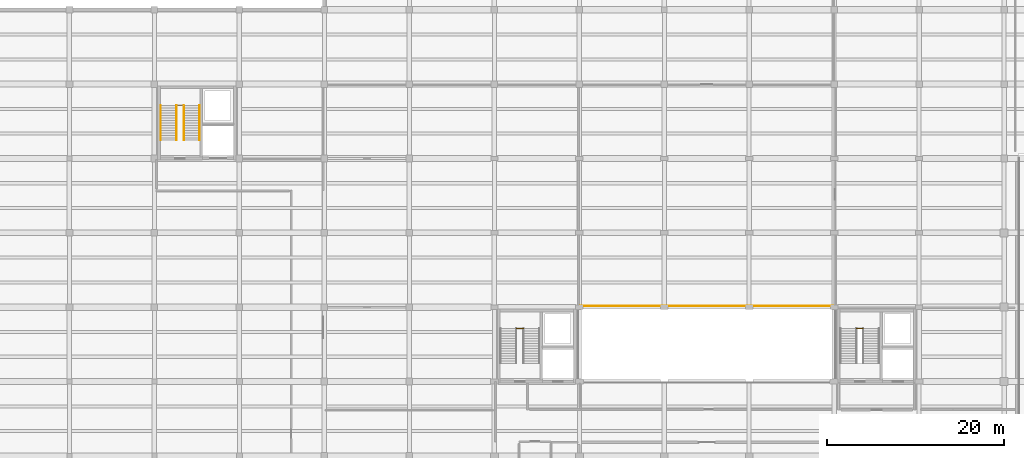
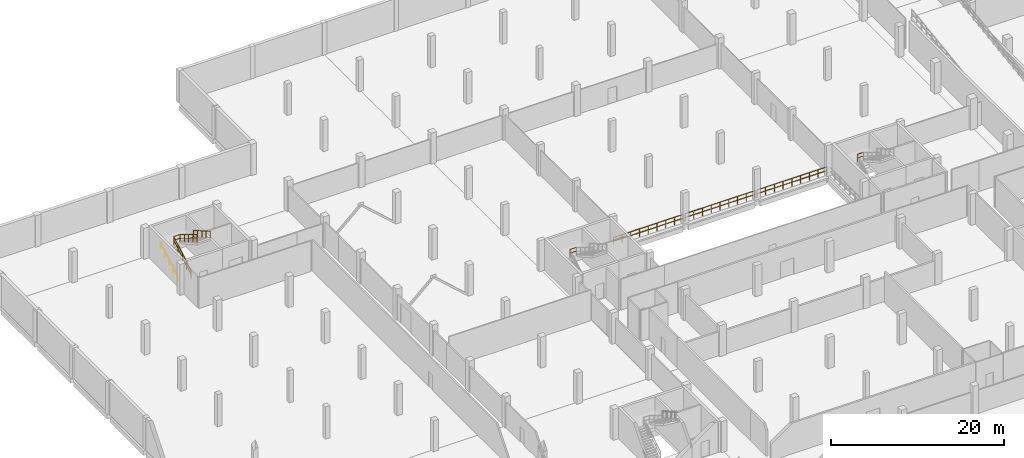
# One storey, part 28 of 30: 10 railings.
"""IFC4 building model written with IfcOpenShell, lengths in metres."""

from ifc_helpers import new_model, si_unit, direction, frame, origin, origin_2d, place, context, subcontext, project, spatial, circle, extrude, material, layer, layer_set, type_object, element, save


model = new_model("IFC4")

# Units and contexts
model_context = context("Model", 3, precision=1e-05, world=origin(), true_north=direction((0.0, 1.0)))
body_context = subcontext(model_context, "Body", "Model", "MODEL_VIEW")
ifc_project = project(units=[si_unit("LENGTHUNIT", "METRE"), si_unit("AREAUNIT", "SQUARE_METRE"), si_unit("VOLUMEUNIT", "CUBIC_METRE"), si_unit("PLANEANGLEUNIT", "RADIAN"), si_unit("MASSUNIT", "GRAM", prefix="KILO")], contexts=[model_context])

# Site, building, storey
site_placement = place(None, origin())
site = spatial("IfcSite", under=ifc_project, at=site_placement, CompositionType="ELEMENT")
building_placement = place(site_placement, origin())
building = spatial("IfcBuilding", under=site, at=building_placement, Name="Lornevale Opera House", CompositionType="ELEMENT")
storey_placement = place(building_placement, frame((0.0, 0.0, -4.800048828125)))
storey = spatial("IfcBuildingStorey", under=building, at=storey_placement, Name="B1", CompositionType="ELEMENT", Elevation=-4.800048828125)

# Railings
ifc_material = material(Name="Structural Steel CSA G40.21 Grade 350W (350 MPa)", Category="steel")
ifc_layer_1 = layer(ifc_material, 0.06005859375)
ifc_layer_set_1 = layer_set([ifc_layer_1], Name="Structural Steel CSA G40.21 Grade 350W (350 MPa)")
railing_type_1 = type_object("IfcRailingType", Name="Atrium Acoustic Balustrade 1120", PredefinedType="BALUSTRADE", material=ifc_layer_set_1)
railing_1_placement = place(storey_placement, frame((67.320068359375, 67.340087890625, 0.0)))
element("IfcRailing", 1, at=railing_1_placement, inside=storey, type_object=railing_type_1, Name="Atrium & Bowl Balustrade B1 0253", PredefinedType="BALUSTRADE", context=body_context, shape_type="SweptSolid", body=[
    extrude(circle(Radius=0.02392578125, at=origin_2d()), frame((0.0, 0.0, 1.09619140625), z_axis=(1.0, 0.0, 0.0), x_axis=(0.0, 1.0, 0.0)), (0.0, 0.0, 1.0), 9.35986328125),
    extrude(circle(Radius=0.02392578125, at=origin_2d()), frame((0.0, 0.0, 0.56005859375), z_axis=(1.0, 0.0, 0.0), x_axis=(0.0, 1.0, 0.0)), (0.0, 0.0, 1.0), 9.35986328125),
    extrude(circle(Radius=0.02099609375, at=origin_2d()), origin(), (0.0, 0.0, 1.0), 1.072021484375),
    extrude(circle(Radius=0.02099609375, at=origin_2d()), frame((1.169921875, 0.0, 0.0)), (0.0, 0.0, 1.0), 1.072021484375),
    extrude(circle(Radius=0.02099609375, at=origin_2d()), frame((2.33984375, 0.0, 0.0)), (0.0, 0.0, 1.0), 1.072021484375),
    extrude(circle(Radius=0.02099609375, at=origin_2d()), frame((3.510009765625, 0.0, 0.0)), (0.0, 0.0, 1.0), 1.072021484375),
    extrude(circle(Radius=0.02099609375, at=origin_2d()), frame((4.679931640625, 0.0, 0.0)), (0.0, 0.0, 1.0), 1.072021484375),
    extrude(circle(Radius=0.02099609375, at=origin_2d()), frame((5.849853515625, 0.0, 0.0)), (0.0, 0.0, 1.0), 1.072021484375),
    extrude(circle(Radius=0.02099609375, at=origin_2d()), frame((7.02001953125, 0.0, 0.0)), (0.0, 0.0, 1.0), 1.072021484375),
    extrude(circle(Radius=0.02099609375, at=origin_2d()), frame((8.18994140625, 0.0, 0.0)), (0.0, 0.0, 1.0), 1.072021484375),
    extrude(circle(Radius=0.02099609375, at=origin_2d()), frame((9.35986328125, 0.0, 0.0)), (0.0, 0.0, 1.0), 1.072021484375),
])
railing_2_placement = place(storey_placement, frame((76.919921875, 67.340087890625, 0.0)))
element("IfcRailing", 2, at=railing_2_placement, inside=storey, type_object=railing_type_1, Name="Atrium & Bowl Balustrade B1 0255", PredefinedType="BALUSTRADE", context=body_context, shape_type="SweptSolid", body=[
    extrude(circle(Radius=0.02392578125, at=origin_2d()), frame((0.0, 0.0, 1.09619140625), z_axis=(1.0, 0.0, 0.0), x_axis=(0.0, 1.0, 0.0)), (0.0, 0.0, 1.0), 9.360107421875),
    extrude(circle(Radius=0.02392578125, at=origin_2d()), frame((0.0, 0.0, 0.56005859375), z_axis=(1.0, 0.0, 0.0), x_axis=(0.0, 1.0, 0.0)), (0.0, 0.0, 1.0), 9.360107421875),
    extrude(circle(Radius=0.02099609375, at=origin_2d()), origin(), (0.0, 0.0, 1.0), 1.072021484375),
    extrude(circle(Radius=0.02099609375, at=origin_2d()), frame((1.169921875, 0.0, 0.0)), (0.0, 0.0, 1.0), 1.072021484375),
    extrude(circle(Radius=0.02099609375, at=origin_2d()), frame((2.340087890625, 0.0, 0.0)), (0.0, 0.0, 1.0), 1.072021484375),
    extrude(circle(Radius=0.02099609375, at=origin_2d()), frame((3.510009765625, 0.0, 0.0)), (0.0, 0.0, 1.0), 1.072021484375),
    extrude(circle(Radius=0.02099609375, at=origin_2d()), frame((4.68017578125, 0.0, 0.0)), (0.0, 0.0, 1.0), 1.072021484375),
    extrude(circle(Radius=0.02099609375, at=origin_2d()), frame((5.85009765625, 0.0, 0.0)), (0.0, 0.0, 1.0), 1.072021484375),
    extrude(circle(Radius=0.02099609375, at=origin_2d()), frame((7.02001953125, 0.0, 0.0)), (0.0, 0.0, 1.0), 1.072021484375),
    extrude(circle(Radius=0.02099609375, at=origin_2d()), frame((8.190185546875, 0.0, 0.0)), (0.0, 0.0, 1.0), 1.072021484375),
    extrude(circle(Radius=0.02099609375, at=origin_2d()), frame((9.360107421875, 0.0, 0.0)), (0.0, 0.0, 1.0), 1.072021484375),
])
railing_3_placement = place(storey_placement, frame((86.52001953125, 67.340087890625, 0.0)))
element("IfcRailing", 3, at=railing_3_placement, inside=storey, type_object=railing_type_1, Name="Atrium & Bowl Balustrade B1 0257", PredefinedType="BALUSTRADE", context=body_context, shape_type="SweptSolid", body=[
    extrude(circle(Radius=0.02392578125, at=origin_2d()), frame((0.0, 0.0, 1.09619140625), z_axis=(1.0, 0.0, 0.0), x_axis=(0.0, 1.0, 0.0)), (0.0, 0.0, 1.0), 9.35986328125),
    extrude(circle(Radius=0.02392578125, at=origin_2d()), frame((0.0, 0.0, 0.56005859375), z_axis=(1.0, 0.0, 0.0), x_axis=(0.0, 1.0, 0.0)), (0.0, 0.0, 1.0), 9.35986328125),
    extrude(circle(Radius=0.02099609375, at=origin_2d()), origin(), (0.0, 0.0, 1.0), 1.072021484375),
    extrude(circle(Radius=0.02099609375, at=origin_2d()), frame((1.169921875, 0.0, 0.0)), (0.0, 0.0, 1.0), 1.072021484375),
    extrude(circle(Radius=0.02099609375, at=origin_2d()), frame((2.33984375, 0.0, 0.0)), (0.0, 0.0, 1.0), 1.072021484375),
    extrude(circle(Radius=0.02099609375, at=origin_2d()), frame((3.510009765625, 0.0, 0.0)), (0.0, 0.0, 1.0), 1.072021484375),
    extrude(circle(Radius=0.02099609375, at=origin_2d()), frame((4.679931640625, 0.0, 0.0)), (0.0, 0.0, 1.0), 1.072021484375),
    extrude(circle(Radius=0.02099609375, at=origin_2d()), frame((5.849853515625, 0.0, 0.0)), (0.0, 0.0, 1.0), 1.072021484375),
    extrude(circle(Radius=0.02099609375, at=origin_2d()), frame((7.02001953125, 0.0, 0.0)), (0.0, 0.0, 1.0), 1.072021484375),
    extrude(circle(Radius=0.02099609375, at=origin_2d()), frame((8.18994140625, 0.0, 0.0)), (0.0, 0.0, 1.0), 1.072021484375),
    extrude(circle(Radius=0.02099609375, at=origin_2d()), frame((9.35986328125, 0.0, 0.0)), (0.0, 0.0, 1.0), 1.072021484375),
])
ifc_layer_2 = layer(ifc_material, 0.050048828125)
ifc_layer_set_2 = layer_set([ifc_layer_2], Name="Structural Steel CSA G40.21 Grade 350W (350 MPa)")
railing_type_2 = type_object("IfcRailingType", Name="Stair Well Guardrail 1100", PredefinedType="GUARDRAIL", material=ifc_layer_set_2)
railing_4_placement = place(storey_placement, frame((21.679931640625, 86.06005859375, 0.0)))
element("IfcRailing", 4, at=railing_4_placement, inside=storey, type_object=railing_type_2, Name="ST-12 Inner Well Guard F1", PredefinedType="GUARDRAIL", context=body_context, shape_type="SweptSolid", body=[
    extrude(circle(Radius=0.02392578125, at=origin_2d()), frame((0.0, 0.0, 1.076171875), z_axis=(0.0, 0.852832477147, 0.522184609045), x_axis=(-1.0, 0.0, 0.0)), (0.0, 0.0, 1.0), 4.596435546875),
    extrude(circle(Radius=0.02392578125, at=origin_2d()), frame((0.0, 0.0, 0.550048828125), z_axis=(0.0, 0.852832477147, 0.522184609045), x_axis=(-1.0, 0.0, 0.0)), (0.0, 0.0, 1.0), 4.596435546875),
    extrude(circle(Radius=0.02099609375, at=origin_2d()), origin(), (0.0, 0.0, 1.0), 1.052001953125),
    extrude(circle(Radius=0.02099609375, at=origin_2d()), frame((0.0, 0.97998046875, 0.60009765625)), (0.0, 0.0, 1.0), 1.052001953125),
    extrude(circle(Radius=0.02099609375, at=origin_2d()), frame((0.0, 1.9599609375, 1.2001953125)), (0.0, 0.0, 1.0), 1.052001953125),
    extrude(circle(Radius=0.02099609375, at=origin_2d()), frame((0.0, 2.93994140625, 1.800048828125)), (0.0, 0.0, 1.0), 1.052001953125),
    extrude(circle(Radius=0.02099609375, at=origin_2d()), frame((0.0, 3.919921875, 2.400146484375)), (0.0, 0.0, 1.0), 1.052001953125),
])
railing_5_placement = place(storey_placement, frame((22.52001953125, 89.97998046875, 2.400146484375)))
element("IfcRailing", 5, at=railing_5_placement, inside=storey, type_object=railing_type_2, Name="ST-12 Inner Well Guard F2", PredefinedType="GUARDRAIL", context=body_context, shape_type="SweptSolid", body=[
    extrude(circle(Radius=0.02392578125, at=origin_2d()), frame((0.0, 0.0, 1.076171875), z_axis=(0.0, -0.852856131449, 0.522145974847), x_axis=(1.0, 0.0, 0.0)), (0.0, 0.0, 1.0), 4.59619140625),
    extrude(circle(Radius=0.02392578125, at=origin_2d()), frame((0.0, 0.0, 0.550048828125), z_axis=(0.0, -0.852856131449, 0.522145974847), x_axis=(1.0, 0.0, 0.0)), (0.0, 0.0, 1.0), 4.59619140625),
    extrude(circle(Radius=0.02099609375, at=origin_2d()), origin(), (0.0, 0.0, 1.0), 1.052001953125),
    extrude(circle(Radius=0.02099609375, at=origin_2d()), frame((0.0, -0.97998046875, 0.60009765625)), (0.0, 0.0, 1.0), 1.052001953125),
    extrude(circle(Radius=0.02099609375, at=origin_2d()), frame((0.0, -1.9599609375, 1.199951171875)), (0.0, 0.0, 1.0), 1.052001953125),
    extrude(circle(Radius=0.02099609375, at=origin_2d()), frame((0.0, -2.93994140625, 1.7998046875)), (0.0, 0.0, 1.0), 1.052001953125),
    extrude(circle(Radius=0.02099609375, at=origin_2d()), frame((0.0, -3.919921875, 2.39990234375)), (0.0, 0.0, 1.0), 1.052001953125),
])
railing_6_placement = place(storey_placement, frame((21.679931640625, 90.010009765625, 2.400146484375)))
element("IfcRailing", 6, at=railing_6_placement, inside=storey, type_object=railing_type_2, Name="ST-12 Half-Landing Slot Guard", PredefinedType="GUARDRAIL", context=body_context, shape_type="SweptSolid", body=[
    extrude(circle(Radius=0.02392578125, at=origin_2d()), frame((0.0, 0.0, 1.076171875), z_axis=(1.0, 0.0, 0.0), x_axis=(0.0, 1.0, 0.0)), (0.0, 0.0, 1.0), 0.840087890625),
    extrude(circle(Radius=0.02392578125, at=origin_2d()), frame((0.0, 0.0, 0.550048828125), z_axis=(1.0, 0.0, 0.0), x_axis=(0.0, 1.0, 0.0)), (0.0, 0.0, 1.0), 0.840087890625),
    extrude(circle(Radius=0.02099609375, at=origin_2d()), origin(), (0.0, 0.0, 1.0), 1.052001953125),
    extrude(circle(Radius=0.02099609375, at=origin_2d()), frame((0.840087890625, 0.0, 0.0)), (0.0, 0.0, 1.0), 1.052001953125),
])
railing_7_placement = place(storey_placement, frame((60.080078125, 64.81005859375, 2.400146484375)))
element("IfcRailing", 7, at=railing_7_placement, inside=storey, type_object=railing_type_2, Name="ST-15 Half-Landing Slot Guard", PredefinedType="GUARDRAIL", context=body_context, shape_type="SweptSolid", body=[
    extrude(circle(Radius=0.02392578125, at=origin_2d()), frame((0.0, 0.0, 1.076171875), z_axis=(1.0, 0.0, 0.0), x_axis=(0.0, 1.0, 0.0)), (0.0, 0.0, 1.0), 0.83984375),
    extrude(circle(Radius=0.02392578125, at=origin_2d()), frame((0.0, 0.0, 0.550048828125), z_axis=(1.0, 0.0, 0.0), x_axis=(0.0, 1.0, 0.0)), (0.0, 0.0, 1.0), 0.83984375),
    extrude(circle(Radius=0.02099609375, at=origin_2d()), origin(), (0.0, 0.0, 1.0), 1.052001953125),
    extrude(circle(Radius=0.02099609375, at=origin_2d()), frame((0.83984375, 0.0, 0.0)), (0.0, 0.0, 1.0), 1.052001953125),
])
railing_8_placement = place(storey_placement, frame((98.52001953125, 64.81005859375, 2.400146484375)))
element("IfcRailing", 8, at=railing_8_placement, inside=storey, type_object=railing_type_2, Name="ST-21 Half-Landing Slot Guard", PredefinedType="GUARDRAIL", context=body_context, shape_type="SweptSolid", body=[
    extrude(circle(Radius=0.02392578125, at=origin_2d()), frame((0.0, 0.0, 1.076171875), z_axis=(1.0, 0.0, 0.0), x_axis=(0.0, 1.0, 0.0)), (0.0, 0.0, 1.0), 0.760009765625),
    extrude(circle(Radius=0.02392578125, at=origin_2d()), frame((0.0, 0.0, 0.550048828125), z_axis=(1.0, 0.0, 0.0), x_axis=(0.0, 1.0, 0.0)), (0.0, 0.0, 1.0), 0.760009765625),
    extrude(circle(Radius=0.02099609375, at=origin_2d()), origin(), (0.0, 0.0, 1.0), 1.052001953125),
    extrude(circle(Radius=0.02099609375, at=origin_2d()), frame((0.760009765625, 0.0, 0.0)), (0.0, 0.0, 1.0), 1.052001953125),
])
ifc_layer_3 = layer(ifc_material, 0.048095703125)
ifc_layer_set_3 = layer_set([ifc_layer_3], Name="Structural Steel CSA G40.21 Grade 350W (350 MPa)")
railing_type_3 = type_object("IfcRailingType", Name="Tubular Stair Handrail 915", PredefinedType="HANDRAIL", material=ifc_layer_set_3)
railing_9_placement = place(storey_placement, frame((19.919921875, 86.06005859375, 0.1630859375)))
element("IfcRailing", 9, at=railing_9_placement, inside=storey, type_object=railing_type_3, Name="ST-12 Outer Handrail F1", PredefinedType="HANDRAIL", context=body_context, shape_type="SweptSolid", body=[
    extrude(circle(Radius=0.02392578125, at=origin_2d()), frame((0.0, 0.0, 0.89111328125), z_axis=(0.0, 0.868239814368, 0.496144761885), x_axis=(-1.0, 0.0, 0.0)), (0.0, 0.0, 1.0), 4.514892578125),
    extrude(circle(Radius=0.02099609375, at=origin_2d()), origin(), (0.0, 0.0, 1.0), 0.866943359375),
    extrude(circle(Radius=0.02099609375, at=origin_2d()), frame((0.0, 0.97998046875, 0.56005859375)), (0.0, 0.0, 1.0), 0.866943359375),
    extrude(circle(Radius=0.02099609375, at=origin_2d()), frame((0.0, 1.9599609375, 1.1201171875)), (0.0, 0.0, 1.0), 0.866943359375),
    extrude(circle(Radius=0.02099609375, at=origin_2d()), frame((0.0, 2.93994140625, 1.679931640625)), (0.0, 0.0, 1.0), 0.866943359375),
    extrude(circle(Radius=0.02099609375, at=origin_2d()), frame((0.0, 3.919921875, 2.239990234375)), (0.0, 0.0, 1.0), 0.866943359375),
])
railing_10_placement = place(storey_placement, frame((24.280029296875, 89.97998046875, 2.56298828125)))
element("IfcRailing", 10, at=railing_10_placement, inside=storey, type_object=railing_type_3, Name="ST-12 Outer Handrail F2", PredefinedType="HANDRAIL", context=body_context, shape_type="SweptSolid", body=[
    extrude(circle(Radius=0.02392578125, at=origin_2d()), frame((0.0, 0.0, 0.89111328125), z_axis=(0.0, -0.868239814368, 0.496144761885), x_axis=(1.0, 0.0, 0.0)), (0.0, 0.0, 1.0), 4.514892578125),
    extrude(circle(Radius=0.02099609375, at=origin_2d()), origin(), (0.0, 0.0, 1.0), 0.866943359375),
    extrude(circle(Radius=0.02099609375, at=origin_2d()), frame((0.0, -0.97998046875, 0.56005859375)), (0.0, 0.0, 1.0), 0.866943359375),
    extrude(circle(Radius=0.02099609375, at=origin_2d()), frame((0.0, -1.9599609375, 1.1201171875)), (0.0, 0.0, 1.0), 0.866943359375),
    extrude(circle(Radius=0.02099609375, at=origin_2d()), frame((0.0, -2.93994140625, 1.679931640625)), (0.0, 0.0, 1.0), 0.866943359375),
    extrude(circle(Radius=0.02099609375, at=origin_2d()), frame((0.0, -3.919921875, 2.239990234375)), (0.0, 0.0, 1.0), 0.866943359375),
])

save(model, "model.ifc")
